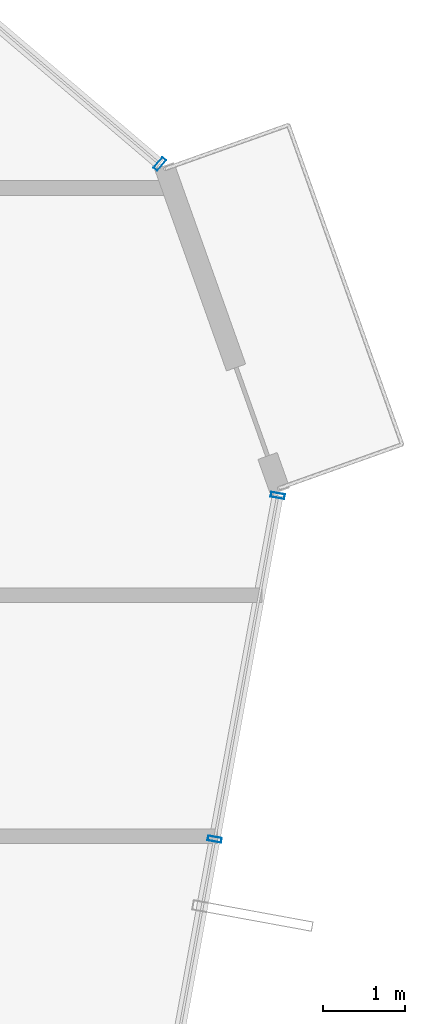
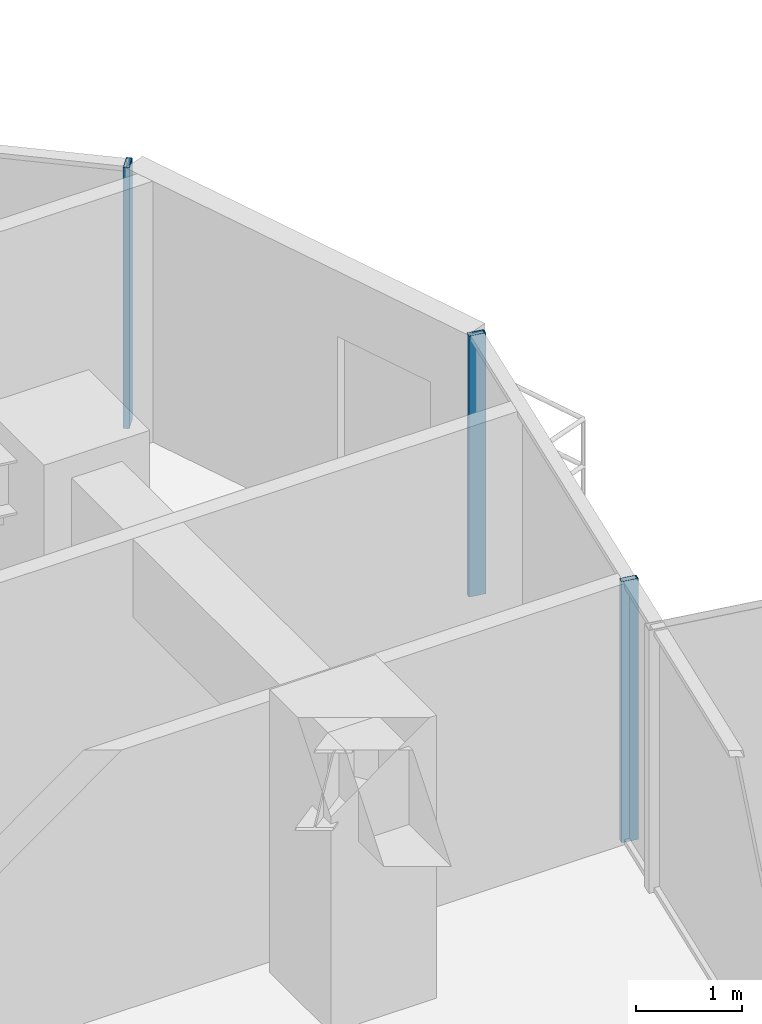
# One storey, part 19 of 33: 3 members, 2 elements without a shape of their own.
"""IFC4 building model written with IfcOpenShell, lengths in metres."""

from ifc_helpers import new_model, si_unit, direction, frame, origin, origin_2d, place, context, subcontext, project, spatial, hollow_rectangle, extrude, source, transform, mapped, material, layer, layer_set, material_profile, profile_set, type_object, element, aggregate, save


model = new_model("IFC4")

# Units and contexts
model_context = context("Model", 3, precision=1e-05, world=origin(), true_north=direction((0.0, 1.0)))
body_context = subcontext(model_context, "Body", "Model", "MODEL_VIEW")
ifc_project = project(units=[si_unit("LENGTHUNIT", "METRE"), si_unit("AREAUNIT", "SQUARE_METRE"), si_unit("VOLUMEUNIT", "CUBIC_METRE"), si_unit("PLANEANGLEUNIT", "RADIAN"), si_unit("MASSUNIT", "GRAM", prefix="KILO")], contexts=[model_context])

# Site, building, storey
site_placement = place(None, origin())
site = spatial("IfcSite", under=ifc_project, at=site_placement, CompositionType="ELEMENT")
building_placement = place(site_placement, origin())
building = spatial("IfcBuilding", under=site, at=building_placement, Name="Veraguas Prism Commons", CompositionType="ELEMENT")
storey_placement = place(building_placement, frame((0.0, 0.0, 92.699951171875)))
storey = spatial("IfcBuildingStorey", under=building, at=storey_placement, Name="L25", CompositionType="ELEMENT", Elevation=92.699951171875)

# Curtain wall, member
ifc_material = material(Name="Anodised aluminium EN AW-6063 T6", Category="aluminium")
ifc_layer = layer(ifc_material, 0.169921875, Name="Unitised Flush Curtain Wall Zone 2", Category="aluminium")
ifc_layer_set = layer_set([ifc_layer], Name="Anodised aluminium EN AW-6063 T6")
curtain_wall_type = type_object("IfcCurtainWallType", Name="Unitised Flush Curtain Wall Zone 2", PredefinedType="NOTDEFINED", material=ifc_layer_set)
curtain_wall_1_placement = place(storey_placement, origin())
curtain_wall_1 = element("IfcCurtainWall", 1, at=curtain_wall_1_placement, inside=storey, type_object=curtain_wall_type, Name="Tower Facade Curtain Wall L25-F1", PredefinedType="NOTDEFINED")
ifc_material_profile = material_profile(ifc_material, hollow_rectangle(XDim=0.06005859375, YDim=0.169921875, WallThickness=0.00390625, at=origin_2d()), Name="AL60X170X4")
ifc_profile_set = profile_set([ifc_material_profile], Name="Anodised aluminium EN AW-6063 T6")
member_type = type_object("IfcMemberType", Name="Curtain Wall Mullion Lower AL 60x170x4", PredefinedType="MULLION", material=ifc_profile_set)
shared_shape = source(origin(), body_context, "Body", "SweptSolid", [
    extrude(hollow_rectangle(XDim=0.06005859375, YDim=0.169921875, WallThickness=0.00390625, at=origin_2d()), origin(), (0.0, 0.0, 1.0), 3.0),
])
member_1_placement = place(storey_placement, frame((42.97216796875, 33.042724609375, 0.0), z_axis=(0.0, 0.0, 1.0), x_axis=(-0.761540569897, 0.648117242789, 0.0)))
member_1 = element("IfcMember", 2, at=member_1_placement, type_object=member_type, Name="CW-Z2 Mullion 1", PredefinedType="MULLION", context=body_context, shape_type="MappedRepresentation", body=[
    mapped(shared_shape, transform((0.0, 0.0, 0.0), scale=1.0)),
])
aggregate(curtain_wall_1, [member_1])

# Curtain wall, members
curtain_wall_2_placement = place(storey_placement, origin())
curtain_wall_2 = element("IfcCurtainWall", 3, at=curtain_wall_2_placement, inside=storey, type_object=curtain_wall_type, Name="Tower Facade Curtain Wall L25-F6", PredefinedType="NOTDEFINED")
member_2_placement = place(storey_placement, frame((43.64501953125, 24.77490234375, 0.0), z_axis=(0.0, 0.0, 1.0), x_axis=(0.180522578562, 0.983570840677, 0.0)))
member_2 = element("IfcMember", 4, at=member_2_placement, type_object=member_type, Name="CW-Z2 Mullion 4", PredefinedType="MULLION", context=body_context, shape_type="MappedRepresentation", body=[
    mapped(shared_shape, transform((0.0, 0.0, 0.0), scale=1.0)),
])
member_3_placement = place(storey_placement, frame((44.41748046875, 28.9833984375, 0.0), z_axis=(0.0, 0.0, 1.0), x_axis=(0.180522578562, 0.983570840677, 0.0)))
member_3 = element("IfcMember", 5, at=member_3_placement, type_object=member_type, Name="CW-Z2 Mullion 5", PredefinedType="MULLION", context=body_context, shape_type="MappedRepresentation", body=[
    mapped(shared_shape, transform((0.0, 0.0, 0.0), scale=1.0)),
])
aggregate(curtain_wall_2, [member_2, member_3])

save(model, "model.ifc")
